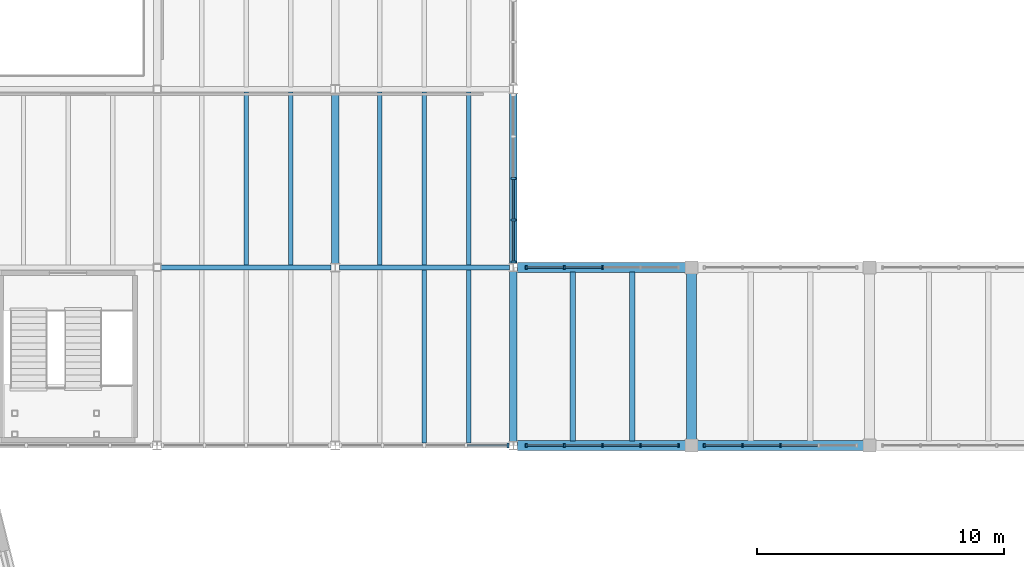
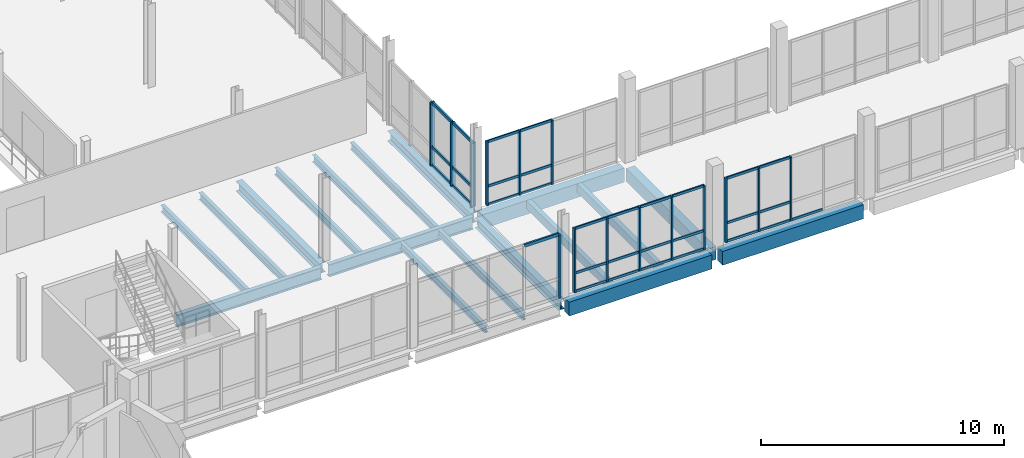
# One storey, part 26 of 72: 47 members, 18 beams, 5 elements without a shape of their own.
"""IFC4 building model written with IfcOpenShell, lengths in metres."""

from ifc_helpers import new_model, si_unit, direction, frame, origin, origin_2d, place, context, subcontext, project, spatial, rectangle, i_section, extrude, material, material_profile, profile_set, type_object, element, aggregate, save


model = new_model("IFC4")

# Units and contexts
model_context = context("Model", 3, precision=1e-05, world=origin(), true_north=direction((0.0, 1.0)))
body_context = subcontext(model_context, "Body", "Model", "MODEL_VIEW")
ifc_project = project(units=[si_unit("LENGTHUNIT", "METRE"), si_unit("AREAUNIT", "SQUARE_METRE"), si_unit("VOLUMEUNIT", "CUBIC_METRE"), si_unit("PLANEANGLEUNIT", "RADIAN"), si_unit("MASSUNIT", "GRAM", prefix="KILO")], contexts=[model_context])

# Site, building, storey
site_placement = place(None, origin())
site = spatial("IfcSite", under=ifc_project, at=site_placement, CompositionType="ELEMENT")
building_placement = place(site_placement, origin())
building = spatial("IfcBuilding", under=site, at=building_placement, Name="Qiaolan Assembly House", CompositionType="ELEMENT")
storey_placement = place(building_placement, frame((0.0, 0.0, 10.199951171875)))
storey = spatial("IfcBuildingStorey", under=building, at=storey_placement, Name="L02", CompositionType="ELEMENT", Elevation=10.199951171875)

# Beams
ifc_material_1 = material(Name="Concrete C40/50", Category="concrete")
ifc_material_profile_1 = material_profile(ifc_material_1, rectangle(XDim=0.39990234375, YDim=0.64990234375, at=origin_2d()), Name="RCB 400x650")
ifc_profile_set_1 = profile_set([ifc_material_profile_1], Name="Concrete C40/50")
beam_type_1 = type_object("IfcBeamType", Name="BM-RC-400x650", PredefinedType="BEAM", material=ifc_profile_set_1)
beam_1_placement = place(storey_placement, frame((115.199951171875, 36.25, -0.594970703125), z_axis=(0.0, 1.0, 0.0), x_axis=(-1.0, 0.0, 0.0)))
element("IfcBeam", 1, at=beam_1_placement, inside=storey, type_object=beam_type_1, Name="GB-06 beam BMY-CLS-L02-01-00", PredefinedType="BEAM", context=body_context, shape_type="SweptSolid", body=[
    extrude(rectangle(XDim=0.39990234375, YDim=0.64990234375, at=origin_2d()), origin(), (0.0, 0.0, 1.0), 6.699951171875),
])
ifc_material_profile_2 = material_profile(ifc_material_1, rectangle(XDim=0.39990234375, YDim=0.699951171875, at=origin_2d()), Name="RCB 400x700")
ifc_profile_set_2 = profile_set([ifc_material_profile_2], Name="Concrete C40/50")
beam_type_2 = type_object("IfcBeamType", Name="BM-RC-400x700", PredefinedType="BEAM", material=ifc_profile_set_2)
beam_2_placement = place(storey_placement, frame((108.1650390625, 36.0, -0.619873046875), z_axis=(1.0, 0.0, 0.0), x_axis=(0.0, 1.0, 0.0)))
element("IfcBeam", 2, at=beam_2_placement, inside=storey, type_object=beam_type_2, Name="GB-05 beam BMX-CLS-L02-00-00", PredefinedType="BEAM", context=body_context, shape_type="SweptSolid", body=[
    extrude(rectangle(XDim=0.39990234375, YDim=0.699951171875, at=origin_2d()), origin(), (0.0, 0.0, 1.0), 6.784912109375),
])
beam_3_placement = place(storey_placement, frame((115.449951171875, 36.0, -0.619873046875), z_axis=(1.0, 0.0, 0.0), x_axis=(0.0, 1.0, 0.0)))
element("IfcBeam", 3, at=beam_3_placement, inside=storey, type_object=beam_type_2, Name="GB-05 beam BMX-CLS-L02-01-00", PredefinedType="BEAM", context=body_context, shape_type="SweptSolid", body=[
    extrude(rectangle(XDim=0.39990234375, YDim=0.699951171875, at=origin_2d()), origin(), (0.0, 0.0, 1.0), 6.699951171875),
])
beam_4_placement = place(storey_placement, frame((108.1650390625, 43.199951171875, -0.619873046875), z_axis=(1.0, 0.0, 0.0), x_axis=(0.0, 1.0, 0.0)))
element("IfcBeam", 4, at=beam_4_placement, inside=storey, type_object=beam_type_2, Name="GB-05 beam BMX-CLS-L02-00-01", PredefinedType="BEAM", context=body_context, shape_type="SweptSolid", body=[
    extrude(rectangle(XDim=0.39990234375, YDim=0.699951171875, at=origin_2d()), origin(), (0.0, 0.0, 1.0), 6.784912109375),
])
ifc_material_2 = material(Name="Steel Q355B", Category="steel")
ifc_material_profile_3 = material_profile(ifc_material_2, i_section(OverallWidth=0.300048828125, OverallDepth=0.5, WebThickness=0.010986328125, FlangeThickness=0.01806640625, FilletRadius=0.02001953125, at=origin_2d()), Name="HM 500x300x11x18")
ifc_profile_set_3 = profile_set([ifc_material_profile_3], Name="Steel Q355B")
beam_type_3 = type_object("IfcBeamType", Name="BM-STL-HM500", PredefinedType="BEAM", material=ifc_profile_set_3)
beam_5_placement = place(storey_placement, frame((100.800048828125, 43.364990234375, -0.550048828125), z_axis=(0.0, 1.0, 0.0), x_axis=(-1.0, 0.0, 0.0)))
element("IfcBeam", 5, at=beam_5_placement, inside=storey, type_object=beam_type_3, Name="SB-15 beam BMY-HL-L02-11-01", PredefinedType="BEAM", context=body_context, shape_type="SweptSolid", body=[
    extrude(i_section(OverallWidth=0.300048828125, OverallDepth=0.5, WebThickness=0.010986328125, FlangeThickness=0.01806640625, FilletRadius=0.02001953125, at=origin_2d()), origin(), (0.0, 0.0, 1.0), 6.8701171875),
])
beam_6_placement = place(storey_placement, frame((108.0, 36.1650390625, -0.550048828125), z_axis=(0.0, 1.0, 0.0), x_axis=(-1.0, 0.0, 0.0)))
element("IfcBeam", 6, at=beam_6_placement, inside=storey, type_object=beam_type_3, Name="SB-15 beam BMY-HL-L02-12-00", PredefinedType="BEAM", context=body_context, shape_type="SweptSolid", body=[
    extrude(i_section(OverallWidth=0.300048828125, OverallDepth=0.5, WebThickness=0.010986328125, FlangeThickness=0.01806640625, FilletRadius=0.02001953125, at=origin_2d()), origin(), (0.0, 0.0, 1.0), 6.869873046875),
])
beam_7_placement = place(storey_placement, frame((108.0, 43.364990234375, -0.550048828125), z_axis=(0.0, 1.0, 0.0), x_axis=(-1.0, 0.0, 0.0)))
element("IfcBeam", 7, at=beam_7_placement, inside=storey, type_object=beam_type_3, Name="SB-15 beam BMY-HL-L02-12-01", PredefinedType="BEAM", context=body_context, shape_type="SweptSolid", body=[
    extrude(i_section(OverallWidth=0.300048828125, OverallDepth=0.5, WebThickness=0.010986328125, FlangeThickness=0.01806640625, FilletRadius=0.02001953125, at=origin_2d()), origin(), (0.0, 0.0, 1.0), 6.8701171875),
])
ifc_material_profile_4 = material_profile(ifc_material_2, i_section(OverallWidth=0.2099609375, OverallDepth=0.610107421875, WebThickness=0.010986328125, FlangeThickness=0.01806640625, FilletRadius=0.02001953125, at=origin_2d()), Name="HN 610x210x11x18")
ifc_profile_set_4 = profile_set([ifc_material_profile_4], Name="Steel Q355B")
beam_type_4 = type_object("IfcBeamType", Name="BM-STL-HN610", PredefinedType="BEAM", material=ifc_profile_set_4)
beam_8_placement = place(storey_placement, frame((93.739990234375, 43.199951171875, -0.60498046875), z_axis=(1.0, 0.0, 0.0), x_axis=(0.0, 1.0, 0.0)))
element("IfcBeam", 8, at=beam_8_placement, inside=storey, type_object=beam_type_4, Name="SB-11 beam BMX-HL-L02-10-01", PredefinedType="BEAM", context=body_context, shape_type="SweptSolid", body=[
    extrude(i_section(OverallWidth=0.2099609375, OverallDepth=0.610107421875, WebThickness=0.010986328125, FlangeThickness=0.01806640625, FilletRadius=0.02001953125, at=origin_2d()), origin(), (0.0, 0.0, 1.0), 6.89501953125),
])
beam_9_placement = place(storey_placement, frame((100.965087890625, 43.199951171875, -0.60498046875), z_axis=(1.0, 0.0, 0.0), x_axis=(0.0, 1.0, 0.0)))
element("IfcBeam", 9, at=beam_9_placement, inside=storey, type_object=beam_type_4, Name="SB-11 beam BMX-HL-L02-11-01", PredefinedType="BEAM", context=body_context, shape_type="SweptSolid", body=[
    extrude(i_section(OverallWidth=0.2099609375, OverallDepth=0.610107421875, WebThickness=0.010986328125, FlangeThickness=0.01806640625, FilletRadius=0.02001953125, at=origin_2d()), origin(), (0.0, 0.0, 1.0), 6.869873046875),
])

# Curtain wall, members
ifc_material_3 = material(Name="Anodised bronze aluminium", Category="aluminium")
curtain_wall_type_1 = type_object("IfcCurtainWallType", Name="CW-CLOISTER-420", PredefinedType="NOTDEFINED", material=ifc_material_3)
curtain_wall_1_placement = place(storey_placement, origin())
curtain_wall_1 = element("IfcCurtainWall", 10, at=curtain_wall_1_placement, inside=storey, type_object=curtain_wall_type_1, Name="CW-05 South Cloister outer arcade L02-1", PredefinedType="NOTDEFINED")
ifc_material_profile_5 = material_profile(ifc_material_3, rectangle(XDim=0.070068359375, YDim=0.155029296875, at=origin_2d()), Name="MUL 70x155")
ifc_profile_set_5 = profile_set([ifc_material_profile_5], Name="Anodised bronze aluminium")
member_type_1 = type_object("IfcMemberType", Name="CW-CLOISTER-420-MUL", PredefinedType="MULLION", material=ifc_profile_set_5)
member_1_placement = place(storey_placement, frame((108.52001953125, 36.0, 0.0), z_axis=(0.0, 0.0, 1.0), x_axis=(1.0, 0.0, 0.0)))
member_1 = element("IfcMember", 11, at=member_1_placement, type_object=member_type_1, Name="ML-06 mullion CW-CLS-OUT-L02-0-1", PredefinedType="MULLION", context=body_context, shape_type="SweptSolid", body=[
    extrude(rectangle(XDim=0.070068359375, YDim=0.155029296875, at=origin_2d()), origin(), (0.0, 0.0, 1.0), 3.219970703125),
])
member_2_placement = place(storey_placement, frame((110.06005859375, 36.0, 0.0), z_axis=(0.0, 0.0, 1.0), x_axis=(1.0, 0.0, 0.0)))
member_2 = element("IfcMember", 12, at=member_2_placement, type_object=member_type_1, Name="ML-06 mullion CW-CLS-OUT-L02-0-2", PredefinedType="MULLION", context=body_context, shape_type="SweptSolid", body=[
    extrude(rectangle(XDim=0.070068359375, YDim=0.155029296875, at=origin_2d()), origin(), (0.0, 0.0, 1.0), 3.219970703125),
])
member_3_placement = place(storey_placement, frame((111.60009765625, 36.0, 0.0), z_axis=(0.0, 0.0, 1.0), x_axis=(1.0, 0.0, 0.0)))
member_3 = element("IfcMember", 13, at=member_3_placement, type_object=member_type_1, Name="ML-06 mullion CW-CLS-OUT-L02-0-3", PredefinedType="MULLION", context=body_context, shape_type="SweptSolid", body=[
    extrude(rectangle(XDim=0.070068359375, YDim=0.155029296875, at=origin_2d()), origin(), (0.0, 0.0, 1.0), 3.219970703125),
])
member_4_placement = place(storey_placement, frame((113.139892578125, 36.0, 0.0), z_axis=(0.0, 0.0, 1.0), x_axis=(1.0, 0.0, 0.0)))
member_4 = element("IfcMember", 14, at=member_4_placement, type_object=member_type_1, Name="ML-06 mullion CW-CLS-OUT-L02-0-4", PredefinedType="MULLION", context=body_context, shape_type="SweptSolid", body=[
    extrude(rectangle(XDim=0.070068359375, YDim=0.155029296875, at=origin_2d()), origin(), (0.0, 0.0, 1.0), 3.219970703125),
])
member_5_placement = place(storey_placement, frame((114.679931640625, 36.0, 0.0), z_axis=(0.0, 0.0, 1.0), x_axis=(1.0, 0.0, 0.0)))
member_5 = element("IfcMember", 15, at=member_5_placement, type_object=member_type_1, Name="ML-06 mullion CW-CLS-OUT-L02-0-5", PredefinedType="MULLION", context=body_context, shape_type="SweptSolid", body=[
    extrude(rectangle(XDim=0.070068359375, YDim=0.155029296875, at=origin_2d()), origin(), (0.0, 0.0, 1.0), 3.219970703125),
])

curtain_wall_2_placement = place(storey_placement, origin())
curtain_wall_2 = element("IfcCurtainWall", 16, at=curtain_wall_2_placement, inside=storey, type_object=curtain_wall_type_1, Name="CW-05 South Cloister court arcade L02-1", PredefinedType="NOTDEFINED")
member_6_placement = place(storey_placement, frame((111.60009765625, 43.199951171875, 0.0), z_axis=(0.0, 0.0, 1.0), x_axis=(-1.0, 0.0, 0.0)))
member_6 = element("IfcMember", 17, at=member_6_placement, type_object=member_type_1, Name="ML-06 mullion CW-CLS-CRT-L02-0-3", PredefinedType="MULLION", context=body_context, shape_type="SweptSolid", body=[
    extrude(rectangle(XDim=0.070068359375, YDim=0.155029296875, at=origin_2d()), origin(), (0.0, 0.0, 1.0), 3.219970703125),
])
member_7_placement = place(storey_placement, frame((110.06005859375, 43.199951171875, 0.0), z_axis=(0.0, 0.0, 1.0), x_axis=(-1.0, 0.0, 0.0)))
member_7 = element("IfcMember", 18, at=member_7_placement, type_object=member_type_1, Name="ML-06 mullion CW-CLS-CRT-L02-0-4", PredefinedType="MULLION", context=body_context, shape_type="SweptSolid", body=[
    extrude(rectangle(XDim=0.070068359375, YDim=0.155029296875, at=origin_2d()), origin(), (0.0, 0.0, 1.0), 3.219970703125),
])
member_8_placement = place(storey_placement, frame((108.52001953125, 43.199951171875, 0.0), z_axis=(0.0, 0.0, 1.0), x_axis=(-1.0, 0.0, 0.0)))
member_8 = element("IfcMember", 19, at=member_8_placement, type_object=member_type_1, Name="ML-06 mullion CW-CLS-CRT-L02-0-5", PredefinedType="MULLION", context=body_context, shape_type="SweptSolid", body=[
    extrude(rectangle(XDim=0.070068359375, YDim=0.155029296875, at=origin_2d()), origin(), (0.0, 0.0, 1.0), 3.219970703125),
])

curtain_wall_3_placement = place(storey_placement, origin())
curtain_wall_3 = element("IfcCurtainWall", 20, at=curtain_wall_3_placement, inside=storey, type_object=curtain_wall_type_1, Name="CW-05 South Cloister outer arcade L02-2", PredefinedType="NOTDEFINED")
member_9_placement = place(storey_placement, frame((115.719970703125, 36.0, 0.0), z_axis=(0.0, 0.0, 1.0), x_axis=(1.0, 0.0, 0.0)))
member_9 = element("IfcMember", 21, at=member_9_placement, type_object=member_type_1, Name="ML-06 mullion CW-CLS-OUT-L02-1-1", PredefinedType="MULLION", context=body_context, shape_type="SweptSolid", body=[
    extrude(rectangle(XDim=0.070068359375, YDim=0.155029296875, at=origin_2d()), origin(), (0.0, 0.0, 1.0), 3.219970703125),
])
member_10_placement = place(storey_placement, frame((117.260009765625, 36.0, 0.0), z_axis=(0.0, 0.0, 1.0), x_axis=(1.0, 0.0, 0.0)))
member_10 = element("IfcMember", 22, at=member_10_placement, type_object=member_type_1, Name="ML-06 mullion CW-CLS-OUT-L02-1-2", PredefinedType="MULLION", context=body_context, shape_type="SweptSolid", body=[
    extrude(rectangle(XDim=0.070068359375, YDim=0.155029296875, at=origin_2d()), origin(), (0.0, 0.0, 1.0), 3.219970703125),
])
member_11_placement = place(storey_placement, frame((118.800048828125, 36.0, 0.0), z_axis=(0.0, 0.0, 1.0), x_axis=(1.0, 0.0, 0.0)))
member_11 = element("IfcMember", 23, at=member_11_placement, type_object=member_type_1, Name="ML-06 mullion CW-CLS-OUT-L02-1-3", PredefinedType="MULLION", context=body_context, shape_type="SweptSolid", body=[
    extrude(rectangle(XDim=0.070068359375, YDim=0.155029296875, at=origin_2d()), origin(), (0.0, 0.0, 1.0), 3.219970703125),
])

# Member
ifc_material_profile_6 = material_profile(ifc_material_3, rectangle(XDim=0.06201171875, YDim=0.125, at=origin_2d()), Name="TRN 62x125")
ifc_profile_set_6 = profile_set([ifc_material_profile_6], Name="Anodised bronze aluminium")
member_type_2 = type_object("IfcMemberType", Name="CW-CLOISTER-420-TRN", PredefinedType="USERDEFINED", material=ifc_profile_set_6)
member_12_placement = place(storey_placement, frame((108.554931640625, 36.0, 0.030029296875), z_axis=(1.0, 0.0, 0.0), x_axis=(0.0, 1.0, 0.0)))
member_12 = element("IfcMember", 24, at=member_12_placement, type_object=member_type_2, Name="TR-06 transom CW-CLS-OUT-L02-0-1-1", ObjectType="TRANSOM", PredefinedType="USERDEFINED", context=body_context, shape_type="SweptSolid", body=[
    extrude(rectangle(XDim=0.06201171875, YDim=0.125, at=origin_2d()), origin(), (0.0, 0.0, 1.0), 1.469970703125),
])

member_13_placement = place(storey_placement, frame((108.554931640625, 36.0, 0.949951171875), z_axis=(1.0, 0.0, 0.0), x_axis=(0.0, 1.0, 0.0)))
member_13 = element("IfcMember", 25, at=member_13_placement, type_object=member_type_2, Name="TR-06 transom CW-CLS-OUT-L02-0-1-2", ObjectType="TRANSOM", PredefinedType="USERDEFINED", context=body_context, shape_type="SweptSolid", body=[
    extrude(rectangle(XDim=0.06201171875, YDim=0.125, at=origin_2d()), origin(), (0.0, 0.0, 1.0), 1.469970703125),
])

member_14_placement = place(storey_placement, frame((108.554931640625, 36.0, 3.18994140625), z_axis=(1.0, 0.0, 0.0), x_axis=(0.0, 1.0, 0.0)))
member_14 = element("IfcMember", 26, at=member_14_placement, type_object=member_type_2, Name="TR-06 transom CW-CLS-OUT-L02-0-1-3", ObjectType="TRANSOM", PredefinedType="USERDEFINED", context=body_context, shape_type="SweptSolid", body=[
    extrude(rectangle(XDim=0.06201171875, YDim=0.125, at=origin_2d()), origin(), (0.0, 0.0, 1.0), 1.469970703125),
])

member_15_placement = place(storey_placement, frame((110.094970703125, 36.0, 0.030029296875), z_axis=(1.0, 0.0, 0.0), x_axis=(0.0, 1.0, 0.0)))
member_15 = element("IfcMember", 27, at=member_15_placement, type_object=member_type_2, Name="TR-06 transom CW-CLS-OUT-L02-0-2-1", ObjectType="TRANSOM", PredefinedType="USERDEFINED", context=body_context, shape_type="SweptSolid", body=[
    extrude(rectangle(XDim=0.06201171875, YDim=0.125, at=origin_2d()), origin(), (0.0, 0.0, 1.0), 1.469970703125),
])

member_16_placement = place(storey_placement, frame((110.094970703125, 36.0, 0.949951171875), z_axis=(1.0, 0.0, 0.0), x_axis=(0.0, 1.0, 0.0)))
member_16 = element("IfcMember", 28, at=member_16_placement, type_object=member_type_2, Name="TR-06 transom CW-CLS-OUT-L02-0-2-2", ObjectType="TRANSOM", PredefinedType="USERDEFINED", context=body_context, shape_type="SweptSolid", body=[
    extrude(rectangle(XDim=0.06201171875, YDim=0.125, at=origin_2d()), origin(), (0.0, 0.0, 1.0), 1.469970703125),
])

member_17_placement = place(storey_placement, frame((110.094970703125, 36.0, 3.18994140625), z_axis=(1.0, 0.0, 0.0), x_axis=(0.0, 1.0, 0.0)))
member_17 = element("IfcMember", 29, at=member_17_placement, type_object=member_type_2, Name="TR-06 transom CW-CLS-OUT-L02-0-2-3", ObjectType="TRANSOM", PredefinedType="USERDEFINED", context=body_context, shape_type="SweptSolid", body=[
    extrude(rectangle(XDim=0.06201171875, YDim=0.125, at=origin_2d()), origin(), (0.0, 0.0, 1.0), 1.469970703125),
])

member_18_placement = place(storey_placement, frame((111.635009765625, 36.0, 0.030029296875), z_axis=(1.0, 0.0, 0.0), x_axis=(0.0, 1.0, 0.0)))
member_18 = element("IfcMember", 30, at=member_18_placement, type_object=member_type_2, Name="TR-06 transom CW-CLS-OUT-L02-0-3-1", ObjectType="TRANSOM", PredefinedType="USERDEFINED", context=body_context, shape_type="SweptSolid", body=[
    extrude(rectangle(XDim=0.06201171875, YDim=0.125, at=origin_2d()), origin(), (0.0, 0.0, 1.0), 1.469970703125),
])

member_19_placement = place(storey_placement, frame((111.635009765625, 36.0, 0.949951171875), z_axis=(1.0, 0.0, 0.0), x_axis=(0.0, 1.0, 0.0)))
member_19 = element("IfcMember", 31, at=member_19_placement, type_object=member_type_2, Name="TR-06 transom CW-CLS-OUT-L02-0-3-2", ObjectType="TRANSOM", PredefinedType="USERDEFINED", context=body_context, shape_type="SweptSolid", body=[
    extrude(rectangle(XDim=0.06201171875, YDim=0.125, at=origin_2d()), origin(), (0.0, 0.0, 1.0), 1.469970703125),
])

member_20_placement = place(storey_placement, frame((111.635009765625, 36.0, 3.18994140625), z_axis=(1.0, 0.0, 0.0), x_axis=(0.0, 1.0, 0.0)))
member_20 = element("IfcMember", 32, at=member_20_placement, type_object=member_type_2, Name="TR-06 transom CW-CLS-OUT-L02-0-3-3", ObjectType="TRANSOM", PredefinedType="USERDEFINED", context=body_context, shape_type="SweptSolid", body=[
    extrude(rectangle(XDim=0.06201171875, YDim=0.125, at=origin_2d()), origin(), (0.0, 0.0, 1.0), 1.469970703125),
])

member_21_placement = place(storey_placement, frame((113.175048828125, 36.0, 0.030029296875), z_axis=(1.0, 0.0, 0.0), x_axis=(0.0, 1.0, 0.0)))
member_21 = element("IfcMember", 33, at=member_21_placement, type_object=member_type_2, Name="TR-06 transom CW-CLS-OUT-L02-0-4-1", ObjectType="TRANSOM", PredefinedType="USERDEFINED", context=body_context, shape_type="SweptSolid", body=[
    extrude(rectangle(XDim=0.06201171875, YDim=0.125, at=origin_2d()), origin(), (0.0, 0.0, 1.0), 1.469970703125),
])

member_22_placement = place(storey_placement, frame((113.175048828125, 36.0, 0.949951171875), z_axis=(1.0, 0.0, 0.0), x_axis=(0.0, 1.0, 0.0)))
member_22 = element("IfcMember", 34, at=member_22_placement, type_object=member_type_2, Name="TR-06 transom CW-CLS-OUT-L02-0-4-2", ObjectType="TRANSOM", PredefinedType="USERDEFINED", context=body_context, shape_type="SweptSolid", body=[
    extrude(rectangle(XDim=0.06201171875, YDim=0.125, at=origin_2d()), origin(), (0.0, 0.0, 1.0), 1.469970703125),
])

member_23_placement = place(storey_placement, frame((113.175048828125, 36.0, 3.18994140625), z_axis=(1.0, 0.0, 0.0), x_axis=(0.0, 1.0, 0.0)))
member_23 = element("IfcMember", 35, at=member_23_placement, type_object=member_type_2, Name="TR-06 transom CW-CLS-OUT-L02-0-4-3", ObjectType="TRANSOM", PredefinedType="USERDEFINED", context=body_context, shape_type="SweptSolid", body=[
    extrude(rectangle(XDim=0.06201171875, YDim=0.125, at=origin_2d()), origin(), (0.0, 0.0, 1.0), 1.469970703125),
])

aggregate(curtain_wall_1, [member_1, member_2, member_3, member_4, member_5, member_12, member_13, member_14, member_15, member_16, member_17, member_18, member_19, member_20, member_21, member_22, member_23])

member_24_placement = place(storey_placement, frame((111.56494140625, 43.199951171875, 0.030029296875), z_axis=(-1.0, 0.0, 0.0), x_axis=(0.0, -1.0, 0.0)))
member_24 = element("IfcMember", 36, at=member_24_placement, type_object=member_type_2, Name="TR-06 transom CW-CLS-CRT-L02-0-3-1", ObjectType="TRANSOM", PredefinedType="USERDEFINED", context=body_context, shape_type="SweptSolid", body=[
    extrude(rectangle(XDim=0.06201171875, YDim=0.125, at=origin_2d()), origin(), (0.0, 0.0, 1.0), 1.469970703125),
])

member_25_placement = place(storey_placement, frame((111.56494140625, 43.199951171875, 0.949951171875), z_axis=(-1.0, 0.0, 0.0), x_axis=(0.0, -1.0, 0.0)))
member_25 = element("IfcMember", 37, at=member_25_placement, type_object=member_type_2, Name="TR-06 transom CW-CLS-CRT-L02-0-3-2", ObjectType="TRANSOM", PredefinedType="USERDEFINED", context=body_context, shape_type="SweptSolid", body=[
    extrude(rectangle(XDim=0.06201171875, YDim=0.125, at=origin_2d()), origin(), (0.0, 0.0, 1.0), 1.469970703125),
])

member_26_placement = place(storey_placement, frame((111.56494140625, 43.199951171875, 3.18994140625), z_axis=(-1.0, 0.0, 0.0), x_axis=(0.0, -1.0, 0.0)))
member_26 = element("IfcMember", 38, at=member_26_placement, type_object=member_type_2, Name="TR-06 transom CW-CLS-CRT-L02-0-3-3", ObjectType="TRANSOM", PredefinedType="USERDEFINED", context=body_context, shape_type="SweptSolid", body=[
    extrude(rectangle(XDim=0.06201171875, YDim=0.125, at=origin_2d()), origin(), (0.0, 0.0, 1.0), 1.469970703125),
])

member_27_placement = place(storey_placement, frame((110.02490234375, 43.199951171875, 0.030029296875), z_axis=(-1.0, 0.0, 0.0), x_axis=(0.0, -1.0, 0.0)))
member_27 = element("IfcMember", 39, at=member_27_placement, type_object=member_type_2, Name="TR-06 transom CW-CLS-CRT-L02-0-4-1", ObjectType="TRANSOM", PredefinedType="USERDEFINED", context=body_context, shape_type="SweptSolid", body=[
    extrude(rectangle(XDim=0.06201171875, YDim=0.125, at=origin_2d()), origin(), (0.0, 0.0, 1.0), 1.469970703125),
])

member_28_placement = place(storey_placement, frame((110.02490234375, 43.199951171875, 0.949951171875), z_axis=(-1.0, 0.0, 0.0), x_axis=(0.0, -1.0, 0.0)))
member_28 = element("IfcMember", 40, at=member_28_placement, type_object=member_type_2, Name="TR-06 transom CW-CLS-CRT-L02-0-4-2", ObjectType="TRANSOM", PredefinedType="USERDEFINED", context=body_context, shape_type="SweptSolid", body=[
    extrude(rectangle(XDim=0.06201171875, YDim=0.125, at=origin_2d()), origin(), (0.0, 0.0, 1.0), 1.469970703125),
])

member_29_placement = place(storey_placement, frame((110.02490234375, 43.199951171875, 3.18994140625), z_axis=(-1.0, 0.0, 0.0), x_axis=(0.0, -1.0, 0.0)))
member_29 = element("IfcMember", 41, at=member_29_placement, type_object=member_type_2, Name="TR-06 transom CW-CLS-CRT-L02-0-4-3", ObjectType="TRANSOM", PredefinedType="USERDEFINED", context=body_context, shape_type="SweptSolid", body=[
    extrude(rectangle(XDim=0.06201171875, YDim=0.125, at=origin_2d()), origin(), (0.0, 0.0, 1.0), 1.469970703125),
])

aggregate(curtain_wall_2, [member_6, member_7, member_8, member_24, member_25, member_26, member_27, member_28, member_29])

member_30_placement = place(storey_placement, frame((115.7548828125, 36.0, 0.030029296875), z_axis=(1.0, 0.0, 0.0), x_axis=(0.0, 1.0, 0.0)))
member_30 = element("IfcMember", 42, at=member_30_placement, type_object=member_type_2, Name="TR-06 transom CW-CLS-OUT-L02-1-1-1", ObjectType="TRANSOM", PredefinedType="USERDEFINED", context=body_context, shape_type="SweptSolid", body=[
    extrude(rectangle(XDim=0.06201171875, YDim=0.125, at=origin_2d()), origin(), (0.0, 0.0, 1.0), 1.47021484375),
])

member_31_placement = place(storey_placement, frame((115.7548828125, 36.0, 0.949951171875), z_axis=(1.0, 0.0, 0.0), x_axis=(0.0, 1.0, 0.0)))
member_31 = element("IfcMember", 43, at=member_31_placement, type_object=member_type_2, Name="TR-06 transom CW-CLS-OUT-L02-1-1-2", ObjectType="TRANSOM", PredefinedType="USERDEFINED", context=body_context, shape_type="SweptSolid", body=[
    extrude(rectangle(XDim=0.06201171875, YDim=0.125, at=origin_2d()), origin(), (0.0, 0.0, 1.0), 1.47021484375),
])

member_32_placement = place(storey_placement, frame((115.7548828125, 36.0, 3.18994140625), z_axis=(1.0, 0.0, 0.0), x_axis=(0.0, 1.0, 0.0)))
member_32 = element("IfcMember", 44, at=member_32_placement, type_object=member_type_2, Name="TR-06 transom CW-CLS-OUT-L02-1-1-3", ObjectType="TRANSOM", PredefinedType="USERDEFINED", context=body_context, shape_type="SweptSolid", body=[
    extrude(rectangle(XDim=0.06201171875, YDim=0.125, at=origin_2d()), origin(), (0.0, 0.0, 1.0), 1.47021484375),
])

member_33_placement = place(storey_placement, frame((117.294921875, 36.0, 0.030029296875), z_axis=(1.0, 0.0, 0.0), x_axis=(0.0, 1.0, 0.0)))
member_33 = element("IfcMember", 45, at=member_33_placement, type_object=member_type_2, Name="TR-06 transom CW-CLS-OUT-L02-1-2-1", ObjectType="TRANSOM", PredefinedType="USERDEFINED", context=body_context, shape_type="SweptSolid", body=[
    extrude(rectangle(XDim=0.06201171875, YDim=0.125, at=origin_2d()), origin(), (0.0, 0.0, 1.0), 1.469970703125),
])

member_34_placement = place(storey_placement, frame((117.294921875, 36.0, 0.949951171875), z_axis=(1.0, 0.0, 0.0), x_axis=(0.0, 1.0, 0.0)))
member_34 = element("IfcMember", 46, at=member_34_placement, type_object=member_type_2, Name="TR-06 transom CW-CLS-OUT-L02-1-2-2", ObjectType="TRANSOM", PredefinedType="USERDEFINED", context=body_context, shape_type="SweptSolid", body=[
    extrude(rectangle(XDim=0.06201171875, YDim=0.125, at=origin_2d()), origin(), (0.0, 0.0, 1.0), 1.469970703125),
])

member_35_placement = place(storey_placement, frame((117.294921875, 36.0, 3.18994140625), z_axis=(1.0, 0.0, 0.0), x_axis=(0.0, 1.0, 0.0)))
member_35 = element("IfcMember", 47, at=member_35_placement, type_object=member_type_2, Name="TR-06 transom CW-CLS-OUT-L02-1-2-3", ObjectType="TRANSOM", PredefinedType="USERDEFINED", context=body_context, shape_type="SweptSolid", body=[
    extrude(rectangle(XDim=0.06201171875, YDim=0.125, at=origin_2d()), origin(), (0.0, 0.0, 1.0), 1.469970703125),
])

member_36_placement = place(storey_placement, frame((118.8349609375, 36.0, 0.030029296875), z_axis=(1.0, 0.0, 0.0), x_axis=(0.0, 1.0, 0.0)))
member_36 = element("IfcMember", 48, at=member_36_placement, type_object=member_type_2, Name="TR-06 transom CW-CLS-OUT-L02-1-3-1", ObjectType="TRANSOM", PredefinedType="USERDEFINED", context=body_context, shape_type="SweptSolid", body=[
    extrude(rectangle(XDim=0.06201171875, YDim=0.125, at=origin_2d()), origin(), (0.0, 0.0, 1.0), 1.469970703125),
])

aggregate(curtain_wall_3, [member_9, member_10, member_11, member_30, member_31, member_32, member_33, member_34, member_35, member_36])

# Curtain wall, member
curtain_wall_type_2 = type_object("IfcCurtainWallType", Name="CW-HALL-UPPER-480", PredefinedType="NOTDEFINED", material=ifc_material_3)
curtain_wall_4_placement = place(storey_placement, origin())
curtain_wall_4 = element("IfcCurtainWall", 49, at=curtain_wall_4_placement, inside=storey, type_object=curtain_wall_type_2, Name="CW-01 Hall South plaza curtain wall L02-11", PredefinedType="NOTDEFINED")
ifc_material_profile_7 = material_profile(ifc_material_3, rectangle(XDim=0.0859375, YDim=0.199951171875, at=origin_2d()), Name="MUL 86x200")
ifc_profile_set_7 = profile_set([ifc_material_profile_7], Name="Anodised bronze aluminium")
member_type_3 = type_object("IfcMemberType", Name="CW-HALL-UPPER-480-MUL", PredefinedType="MULLION", material=ifc_profile_set_7)
member_37_placement = place(storey_placement, frame((107.780029296875, 36.0, 0.0), z_axis=(0.0, 0.0, 1.0), x_axis=(1.0, 0.0, 0.0)))
member_37 = element("IfcMember", 50, at=member_37_placement, type_object=member_type_3, Name="ML-02 mullion CW-HALL-S-L02-10-5", PredefinedType="MULLION", context=body_context, shape_type="SweptSolid", body=[
    extrude(rectangle(XDim=0.0859375, YDim=0.199951171875, at=origin_2d()), origin(), (0.0, 0.0, 1.0), 3.199951171875),
])

# Curtain wall, members
curtain_wall_5_placement = place(storey_placement, origin())
curtain_wall_5 = element("IfcCurtainWall", 51, at=curtain_wall_5_placement, inside=storey, type_object=curtain_wall_type_2, Name="CW-01 Hall East court curtain wall L02-1", PredefinedType="NOTDEFINED")
member_38_placement = place(storey_placement, frame((108.0, 46.800048828125, 0.0), z_axis=(0.0, 0.0, 1.0), x_axis=(0.0, -1.0, 0.0)))
member_38 = element("IfcMember", 52, at=member_38_placement, type_object=member_type_3, Name="ML-02 mullion CW-HALL-E-L02-00-3", PredefinedType="MULLION", context=body_context, shape_type="SweptSolid", body=[
    extrude(rectangle(XDim=0.0859375, YDim=0.199951171875, at=origin_2d()), origin(), (0.0, 0.0, 1.0), 3.199951171875),
])
member_39_placement = place(storey_placement, frame((108.0, 45.110107421875, 0.0), z_axis=(0.0, 0.0, 1.0), x_axis=(0.0, -1.0, 0.0)))
member_39 = element("IfcMember", 53, at=member_39_placement, type_object=member_type_3, Name="ML-02 mullion CW-HALL-E-L02-00-4", PredefinedType="MULLION", context=body_context, shape_type="SweptSolid", body=[
    extrude(rectangle(XDim=0.0859375, YDim=0.199951171875, at=origin_2d()), origin(), (0.0, 0.0, 1.0), 3.199951171875),
])
member_40_placement = place(storey_placement, frame((108.0, 43.419921875, 0.0), z_axis=(0.0, 0.0, 1.0), x_axis=(0.0, -1.0, 0.0)))
member_40 = element("IfcMember", 54, at=member_40_placement, type_object=member_type_3, Name="ML-02 mullion CW-HALL-E-L02-00-5", PredefinedType="MULLION", context=body_context, shape_type="SweptSolid", body=[
    extrude(rectangle(XDim=0.0859375, YDim=0.199951171875, at=origin_2d()), origin(), (0.0, 0.0, 1.0), 3.199951171875),
])

# Member
ifc_material_profile_8 = material_profile(ifc_material_3, rectangle(XDim=0.075927734375, YDim=0.14990234375, at=origin_2d()), Name="TRN 76x150")
ifc_profile_set_8 = profile_set([ifc_material_profile_8], Name="Anodised bronze aluminium")
member_type_4 = type_object("IfcMemberType", Name="CW-HALL-UPPER-480-TRN", PredefinedType="USERDEFINED", material=ifc_profile_set_8)
member_41_placement = place(storey_placement, frame((106.133056640625, 36.0, 3.170166015625), z_axis=(1.0, 0.0, 0.0), x_axis=(0.0, 1.0, 0.0)))
member_41 = element("IfcMember", 55, at=member_41_placement, type_object=member_type_4, Name="TR-02 transom CW-HALL-S-L02-10-4-3", ObjectType="TRANSOM", PredefinedType="USERDEFINED", context=body_context, shape_type="SweptSolid", body=[
    extrude(rectangle(XDim=0.075927734375, YDim=0.14990234375, at=origin_2d()), origin(), (0.0, 0.0, 1.0), 1.60400390625),
])

aggregate(curtain_wall_4, [member_37, member_41])

member_42_placement = place(storey_placement, frame((108.0, 46.757080078125, 0.030029296875), z_axis=(0.0, -1.0, 0.0), x_axis=(1.0, 0.0, 0.0)))
member_42 = element("IfcMember", 56, at=member_42_placement, type_object=member_type_4, Name="TR-02 transom CW-HALL-E-L02-00-3-1", ObjectType="TRANSOM", PredefinedType="USERDEFINED", context=body_context, shape_type="SweptSolid", body=[
    extrude(rectangle(XDim=0.075927734375, YDim=0.14990234375, at=origin_2d()), origin(), (0.0, 0.0, 1.0), 1.60400390625),
])

member_43_placement = place(storey_placement, frame((108.0, 46.757080078125, 0.949951171875), z_axis=(0.0, -1.0, 0.0), x_axis=(1.0, 0.0, 0.0)))
member_43 = element("IfcMember", 57, at=member_43_placement, type_object=member_type_4, Name="TR-02 transom CW-HALL-E-L02-00-3-2", ObjectType="TRANSOM", PredefinedType="USERDEFINED", context=body_context, shape_type="SweptSolid", body=[
    extrude(rectangle(XDim=0.075927734375, YDim=0.14990234375, at=origin_2d()), origin(), (0.0, 0.0, 1.0), 1.60400390625),
])

member_44_placement = place(storey_placement, frame((108.0, 46.757080078125, 3.170166015625), z_axis=(0.0, -1.0, 0.0), x_axis=(1.0, 0.0, 0.0)))
member_44 = element("IfcMember", 58, at=member_44_placement, type_object=member_type_4, Name="TR-02 transom CW-HALL-E-L02-00-3-3", ObjectType="TRANSOM", PredefinedType="USERDEFINED", context=body_context, shape_type="SweptSolid", body=[
    extrude(rectangle(XDim=0.075927734375, YDim=0.14990234375, at=origin_2d()), origin(), (0.0, 0.0, 1.0), 1.60400390625),
])

member_45_placement = place(storey_placement, frame((108.0, 45.06689453125, 0.030029296875), z_axis=(0.0, -1.0, 0.0), x_axis=(1.0, 0.0, 0.0)))
member_45 = element("IfcMember", 59, at=member_45_placement, type_object=member_type_4, Name="TR-02 transom CW-HALL-E-L02-00-4-1", ObjectType="TRANSOM", PredefinedType="USERDEFINED", context=body_context, shape_type="SweptSolid", body=[
    extrude(rectangle(XDim=0.075927734375, YDim=0.14990234375, at=origin_2d()), origin(), (0.0, 0.0, 1.0), 1.60400390625),
])

member_46_placement = place(storey_placement, frame((108.0, 45.06689453125, 0.949951171875), z_axis=(0.0, -1.0, 0.0), x_axis=(1.0, 0.0, 0.0)))
member_46 = element("IfcMember", 60, at=member_46_placement, type_object=member_type_4, Name="TR-02 transom CW-HALL-E-L02-00-4-2", ObjectType="TRANSOM", PredefinedType="USERDEFINED", context=body_context, shape_type="SweptSolid", body=[
    extrude(rectangle(XDim=0.075927734375, YDim=0.14990234375, at=origin_2d()), origin(), (0.0, 0.0, 1.0), 1.60400390625),
])

member_47_placement = place(storey_placement, frame((108.0, 45.06689453125, 3.170166015625), z_axis=(0.0, -1.0, 0.0), x_axis=(1.0, 0.0, 0.0)))
member_47 = element("IfcMember", 61, at=member_47_placement, type_object=member_type_4, Name="TR-02 transom CW-HALL-E-L02-00-4-3", ObjectType="TRANSOM", PredefinedType="USERDEFINED", context=body_context, shape_type="SweptSolid", body=[
    extrude(rectangle(XDim=0.075927734375, YDim=0.14990234375, at=origin_2d()), origin(), (0.0, 0.0, 1.0), 1.60400390625),
])

aggregate(curtain_wall_5, [member_38, member_39, member_40, member_42, member_43, member_44, member_45, member_46, member_47])

# Beams
ifc_material_profile_9 = material_profile(ifc_material_1, rectangle(XDim=0.219970703125, YDim=0.419921875, at=origin_2d()), Name="RCB 220x420")
ifc_profile_set_9 = profile_set([ifc_material_profile_9], Name="Concrete C40/50")
beam_type_5 = type_object("IfcBeamType", Name="JST-RC-220x420", PredefinedType="JOIST", material=ifc_profile_set_9)
for number, where, z_axis, x_axis, name in (
    (62, (110.39990234375, 36.194091796875, -0.47998046875), (0.0, 1.0, 0.0), (-1.0, 0.0, 0.0), "RJ-03 beam JST-CLS-L02-00-00-1"),
    (63, (112.800048828125, 36.194091796875, -0.47998046875), (0.0, 1.0, 0.0), (-1.0, 0.0, 0.0), "RJ-03 beam JST-CLS-L02-00-00-2"),
):
    element("IfcBeam", number, at=place(storey_placement, frame(where, z_axis=z_axis, x_axis=x_axis)), inside=storey, type_object=beam_type_5, Name=name, PredefinedType="JOIST", context=body_context, shape_type="SweptSolid", body=[
        extrude(rectangle(XDim=0.219970703125, YDim=0.419921875, at=origin_2d()), origin(), (0.0, 0.0, 1.0), 6.81201171875),
    ])
ifc_material_profile_10 = material_profile(ifc_material_2, i_section(OverallWidth=0.179931640625, OverallDepth=0.35498046875, WebThickness=0.007568359375, FlangeThickness=0.011474609375, FilletRadius=0.013916015625, at=origin_2d()), Name="HM 355x180x7.5x11.5")
ifc_profile_set_10 = profile_set([ifc_material_profile_10], Name="Steel Q355B")
beam_type_6 = type_object("IfcBeamType", Name="JST-STL-HM355", PredefinedType="JOIST", material=ifc_profile_set_10)
for number, where, z_axis, x_axis, name in (
    (64, (97.199951171875, 43.299072265625, -0.4775390625), (0.0, 1.0, 0.0), (-1.0, 0.0, 0.0), "SJ-04 beam JST-HL-L02-10-01-2"),
    (65, (99.0, 43.299072265625, -0.4775390625), (0.0, 1.0, 0.0), (-1.0, 0.0, 0.0), "SJ-04 beam JST-HL-L02-10-01-3"),
    (66, (104.39990234375, 36.09912109375, -0.4775390625), (0.0, 1.0, 0.0), (-1.0, 0.0, 0.0), "SJ-04 beam JST-HL-L02-11-00-2"),
    (67, (106.199951171875, 36.09912109375, -0.4775390625), (0.0, 1.0, 0.0), (-1.0, 0.0, 0.0), "SJ-04 beam JST-HL-L02-11-00-3"),
    (68, (102.60009765625, 43.299072265625, -0.4775390625), (0.0, 1.0, 0.0), (-1.0, 0.0, 0.0), "SJ-04 beam JST-HL-L02-11-01-1"),
    (69, (104.39990234375, 43.299072265625, -0.4775390625), (0.0, 1.0, 0.0), (-1.0, 0.0, 0.0), "SJ-04 beam JST-HL-L02-11-01-2"),
    (70, (106.199951171875, 43.299072265625, -0.4775390625), (0.0, 1.0, 0.0), (-1.0, 0.0, 0.0), "SJ-04 beam JST-HL-L02-11-01-3"),
):
    element("IfcBeam", number, at=place(storey_placement, frame(where, z_axis=z_axis, x_axis=x_axis)), inside=storey, type_object=beam_type_6, Name=name, PredefinedType="JOIST", context=body_context, shape_type="SweptSolid", body=[
        extrude(i_section(OverallWidth=0.179931640625, OverallDepth=0.35498046875, WebThickness=0.007568359375, FlangeThickness=0.011474609375, FilletRadius=0.013916015625, at=origin_2d()), origin(), (0.0, 0.0, 1.0), 7.001953125),
    ])

save(model, "model.ifc")
